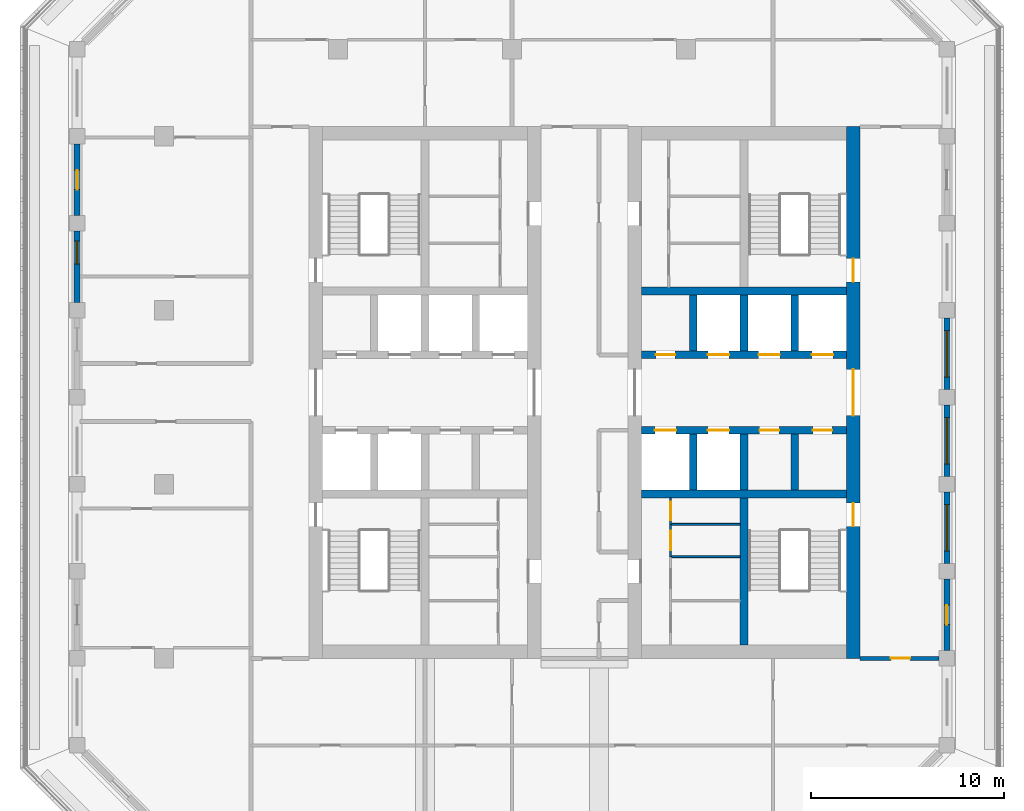
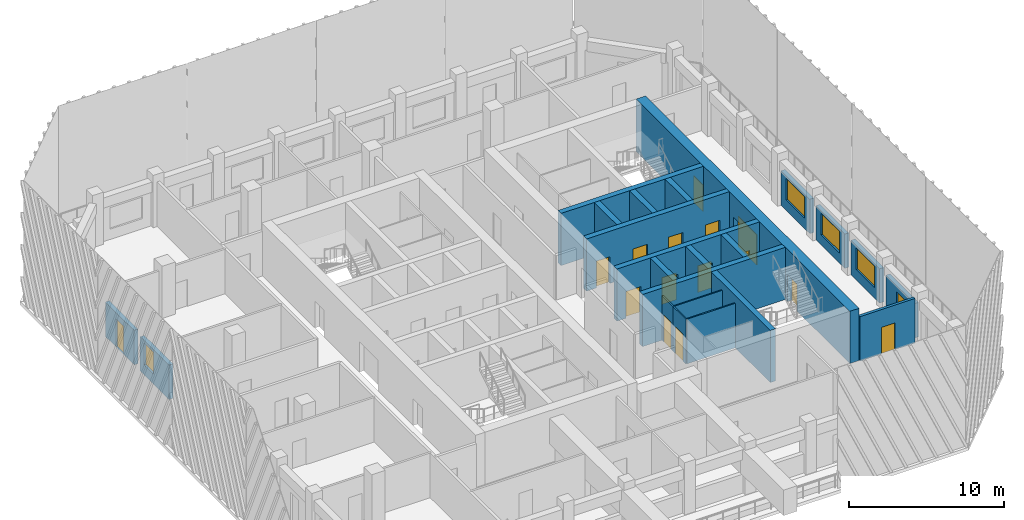
# One storey, part 5 of 16: 23 walls, 16 doors, 4 windows, 20 openings.
"""IFC4 building model written with IfcOpenShell, lengths in metres."""

from ifc_helpers import new_model, si_unit, direction, frame, frame_2d, origin, place, context, subcontext, project, spatial, rectangle, extrude, material, layer, layer_set, type_object, element, fill, save


model = new_model("IFC4")

# Units and contexts
model_context = context("Model", 3, precision=1e-05, world=origin(), true_north=direction((0.0, 1.0)))
body_context = subcontext(model_context, "Body", "Model", "MODEL_VIEW")
ifc_project = project(units=[si_unit("LENGTHUNIT", "METRE"), si_unit("AREAUNIT", "SQUARE_METRE"), si_unit("VOLUMEUNIT", "CUBIC_METRE"), si_unit("PLANEANGLEUNIT", "RADIAN"), si_unit("MASSUNIT", "GRAM", prefix="KILO")], contexts=[model_context])

# Site, building, storey
site_placement = place(None, origin())
site = spatial("IfcSite", under=ifc_project, at=site_placement, CompositionType="ELEMENT")
building_placement = place(site_placement, origin())
building = spatial("IfcBuilding", under=site, at=building_placement, Name="Corbel Stack Research Tower", CompositionType="ELEMENT")
storey_placement = place(building_placement, frame((0.0, 0.0, 290.89990234375)))
storey = spatial("IfcBuildingStorey", under=building, at=storey_placement, Name="L66", CompositionType="ELEMENT", Elevation=290.89990234375)

# Wall
ifc_material_1 = material(Name="Concrete C60/75", Category="concrete")
ifc_layer_1 = layer(ifc_material_1, 0.39990234375)
ifc_layer_set_1 = layer_set([ifc_layer_1], Name="Concrete C60/75")
wall_type_1 = type_object("IfcWallType", Name="CW-400-60", PredefinedType="SHEAR", material=ifc_layer_set_1)
wall_1_placement = place(storey_placement, frame((6.699951171875, -0.5, 0.0), z_axis=(0.0, 0.0, 1.0), x_axis=(1.0, 0.0, 0.0)))
element("IfcWall", 1, at=wall_1_placement, inside=storey, type_object=wall_type_1, Name="East core wall, south row back L66", PredefinedType="SHEAR", context=body_context, shape_type="SweptSolid", body=[
    extrude(rectangle(XDim=10.60009765625, YDim=0.39990234375, at=frame_2d((5.300048828125, 0.0))), origin(), (0.0, 0.0, 1.0), 4.10009765625),
])

# Wall, openings, doors
wall_2_placement = place(storey_placement, frame((6.699951171875, 2.800048828125, 0.0), z_axis=(0.0, 0.0, 1.0), x_axis=(1.0, 0.0, 0.0)))
wall_2 = element("IfcWall", 2, at=wall_2_placement, inside=storey, type_object=wall_type_1, Name="East core wall, lobby south L66", PredefinedType="SHEAR", context=body_context, shape_type="SweptSolid", body=[
    extrude(rectangle(XDim=10.60009765625, YDim=0.39990234375, at=frame_2d((5.300048828125, 0.0))), origin(), (0.0, 0.0, 1.0), 4.10009765625),
])
opening_1_placement = place(wall_2_placement, frame((0.6875, 0.0, 0.0)))
opening_1 = element("IfcOpeningElement", 3, at=opening_1_placement, cuts=wall_2, Name="Opening LD-FS2", PredefinedType="OPENING", context=body_context, shape_type="SweptSolid", body=[
    extrude(rectangle(XDim=1.10009765625, YDim=2.10009765625, at=frame_2d((0.550048828125, 1.050048828125))), frame((0.0, 0.2099609375, 0.0), z_axis=(0.0, -1.0, 0.0), x_axis=(1.0, 0.0, 0.0)), (0.0, 0.0, 1.0), 0.419921875),
])
opening_2_placement = place(wall_2_placement, frame((3.4375, 0.0, 0.0)))
opening_2 = element("IfcOpeningElement", 4, at=opening_2_placement, cuts=wall_2, Name="Opening LD-GL2", PredefinedType="OPENING", context=body_context, shape_type="SweptSolid", body=[
    extrude(rectangle(XDim=1.10009765625, YDim=2.10009765625, at=frame_2d((0.550048828125, 1.050048828125))), frame((0.0, 0.2099609375, 0.0), z_axis=(0.0, -1.0, 0.0), x_axis=(1.0, 0.0, 0.0)), (0.0, 0.0, 1.0), 0.419921875),
])
opening_3_placement = place(wall_2_placement, frame((6.112548828125, 0.0, 0.0)))
opening_3 = element("IfcOpeningElement", 5, at=opening_3_placement, cuts=wall_2, Name="Opening CR-E42-S3", PredefinedType="OPENING", context=body_context, shape_type="SweptSolid", body=[
    extrude(rectangle(XDim=1.0, YDim=2.10009765625, at=frame_2d((0.5, 1.050048828125))), frame((0.0, 0.2099609375, 0.0), z_axis=(0.0, -1.0, 0.0), x_axis=(1.0, 0.0, 0.0)), (0.0, 0.0, 1.0), 0.419921875),
])
opening_4_placement = place(wall_2_placement, frame((8.862548828125, 0.0, 0.0)))
opening_4 = element("IfcOpeningElement", 6, at=opening_4_placement, cuts=wall_2, Name="Opening CR-E42-S4", PredefinedType="OPENING", context=body_context, shape_type="SweptSolid", body=[
    extrude(rectangle(XDim=1.0, YDim=2.10009765625, at=frame_2d((0.5, 1.050048828125))), frame((0.0, 0.2099609375, 0.0), z_axis=(0.0, -1.0, 0.0), x_axis=(1.0, 0.0, 0.0)), (0.0, 0.0, 1.0), 0.419921875),
])
ifc_material_2 = material(Name="Stainless steel landing door", Category="steel")
door_type_1 = type_object("IfcDoorType", Name="Lift landing door 1100 x 2100", OperationType="DOUBLE_DOOR_SLIDING", PredefinedType="DOOR", material=ifc_material_2)
door_1_placement = place(opening_1_placement, origin())
door_1 = element("IfcDoor", 7, at=door_1_placement, inside=storey, type_object=door_type_1, Name="Landing door FS2", OperationType="DOUBLE_DOOR_SLIDING", OverallHeight=2.10009765625, OverallWidth=1.10009765625, PredefinedType="DOOR", context=body_context, shape_type="SweptSolid", body=[
    extrude(rectangle(XDim=1.10009765625, YDim=2.10009765625, at=frame_2d((0.550048828125, 1.050048828125))), frame((0.0, 0.02490234375, 0.0), z_axis=(0.0, -1.0, 0.0), x_axis=(1.0, 0.0, 0.0)), (0.0, 0.0, 1.0), 0.050048828125),
])
fill(opening_1, door_1)
door_2_placement = place(opening_2_placement, origin())
door_2 = element("IfcDoor", 8, at=door_2_placement, inside=storey, type_object=door_type_1, Name="Landing door GL2", OperationType="DOUBLE_DOOR_SLIDING", OverallHeight=2.10009765625, OverallWidth=1.10009765625, PredefinedType="DOOR", context=body_context, shape_type="SweptSolid", body=[
    extrude(rectangle(XDim=1.10009765625, YDim=2.10009765625, at=frame_2d((0.550048828125, 1.050048828125))), frame((0.0, 0.02490234375, 0.0), z_axis=(0.0, -1.0, 0.0), x_axis=(1.0, 0.0, 0.0)), (0.0, 0.0, 1.0), 0.050048828125),
])
fill(opening_2, door_2)
ifc_material_3 = material(Name="Painted steel door", Category="steel")
door_type_2 = type_object("IfcDoorType", Name="Service door 1000 x 2100 FD60 left hand", OperationType="SINGLE_SWING_LEFT", PredefinedType="DOOR", material=ifc_material_3)
door_3_placement = place(opening_3_placement, origin())
door_3 = element("IfcDoor", 9, at=door_3_placement, inside=storey, type_object=door_type_2, Name="Electrical room door E core", OperationType="SINGLE_SWING_LEFT", OverallHeight=2.10009765625, OverallWidth=1.0, PredefinedType="DOOR", context=body_context, shape_type="SweptSolid", body=[
    extrude(rectangle(XDim=1.0, YDim=2.10009765625, at=frame_2d((0.5, 1.050048828125))), frame((0.0, 0.02490234375, 0.0), z_axis=(0.0, -1.0, 0.0), x_axis=(1.0, 0.0, 0.0)), (0.0, 0.0, 1.0), 0.050048828125),
])
fill(opening_3, door_3)
ifc_material_4 = material(Name="Painted steel door", Category="steel")
door_type_3 = type_object("IfcDoorType", Name="Service door 1000 x 2100 FD60 right hand", OperationType="SINGLE_SWING_RIGHT", PredefinedType="DOOR", material=ifc_material_4)
door_4_placement = place(opening_4_placement, origin())
door_4 = element("IfcDoor", 10, at=door_4_placement, inside=storey, type_object=door_type_3, Name="Pantry door E core", OperationType="SINGLE_SWING_RIGHT", OverallHeight=2.10009765625, OverallWidth=1.0, PredefinedType="DOOR", context=body_context, shape_type="SweptSolid", body=[
    extrude(rectangle(XDim=1.0, YDim=2.10009765625, at=frame_2d((0.5, 1.050048828125))), frame((0.0, 0.02490234375, 0.0), z_axis=(0.0, -1.0, 0.0), x_axis=(1.0, 0.0, 0.0)), (0.0, 0.0, 1.0), 0.050048828125),
])
fill(opening_4, door_4)

wall_3_placement = place(storey_placement, frame((6.699951171875, 6.699951171875, 0.0), z_axis=(0.0, 0.0, 1.0), x_axis=(1.0, 0.0, 0.0)))
wall_3 = element("IfcWall", 11, at=wall_3_placement, inside=storey, type_object=wall_type_1, Name="East core wall, lobby north L66", PredefinedType="SHEAR", context=body_context, shape_type="SweptSolid", body=[
    extrude(rectangle(XDim=10.60009765625, YDim=0.39990234375, at=frame_2d((5.300048828125, 0.0))), origin(), (0.0, 0.0, 1.0), 4.10009765625),
])
opening_5_placement = place(wall_3_placement, frame((3.4375, 0.0, 0.0)))
opening_5 = element("IfcOpeningElement", 12, at=opening_5_placement, cuts=wall_3, Name="Opening LD-HR4", PredefinedType="OPENING", context=body_context, shape_type="SweptSolid", body=[
    extrude(rectangle(XDim=1.10009765625, YDim=2.10009765625, at=frame_2d((0.550048828125, 1.050048828125))), frame((0.0, 0.2099609375, 0.0), z_axis=(0.0, -1.0, 0.0), x_axis=(1.0, 0.0, 0.0)), (0.0, 0.0, 1.0), 0.419921875),
])
opening_6_placement = place(wall_3_placement, frame((6.0625, 0.0, 0.0)))
opening_6 = element("IfcOpeningElement", 13, at=opening_6_placement, cuts=wall_3, Name="Opening LD-HR5", PredefinedType="OPENING", context=body_context, shape_type="SweptSolid", body=[
    extrude(rectangle(XDim=1.10009765625, YDim=2.10009765625, at=frame_2d((0.550048828125, 1.050048828125))), frame((0.0, 0.2099609375, 0.0), z_axis=(0.0, -1.0, 0.0), x_axis=(1.0, 0.0, 0.0)), (0.0, 0.0, 1.0), 0.419921875),
])
opening_7_placement = place(wall_3_placement, frame((8.8125, 0.0, 0.0)))
opening_7 = element("IfcOpeningElement", 14, at=opening_7_placement, cuts=wall_3, Name="Opening LD-HR6", PredefinedType="OPENING", context=body_context, shape_type="SweptSolid", body=[
    extrude(rectangle(XDim=1.10009765625, YDim=2.10009765625, at=frame_2d((0.550048828125, 1.050048828125))), frame((0.0, 0.2099609375, 0.0), z_axis=(0.0, -1.0, 0.0), x_axis=(1.0, 0.0, 0.0)), (0.0, 0.0, 1.0), 0.419921875),
])
opening_8_placement = place(wall_3_placement, frame((0.737548828125, 0.0, 0.0)))
opening_8 = element("IfcOpeningElement", 15, at=opening_8_placement, cuts=wall_3, Name="Opening CR-E42-N1", PredefinedType="OPENING", context=body_context, shape_type="SweptSolid", body=[
    extrude(rectangle(XDim=1.0, YDim=2.10009765625, at=frame_2d((0.5, 1.050048828125))), frame((0.0, 0.2099609375, 0.0), z_axis=(0.0, -1.0, 0.0), x_axis=(1.0, 0.0, 0.0)), (0.0, 0.0, 1.0), 0.419921875),
])
door_5_placement = place(opening_5_placement, origin())
door_5 = element("IfcDoor", 16, at=door_5_placement, inside=storey, type_object=door_type_1, Name="Landing door HR4", OperationType="DOUBLE_DOOR_SLIDING", OverallHeight=2.10009765625, OverallWidth=1.10009765625, PredefinedType="DOOR", context=body_context, shape_type="SweptSolid", body=[
    extrude(rectangle(XDim=1.10009765625, YDim=2.10009765625, at=frame_2d((0.550048828125, 1.050048828125))), frame((0.0, 0.02490234375, 0.0), z_axis=(0.0, -1.0, 0.0), x_axis=(1.0, 0.0, 0.0)), (0.0, 0.0, 1.0), 0.050048828125),
])
fill(opening_5, door_5)
door_6_placement = place(opening_6_placement, origin())
door_6 = element("IfcDoor", 17, at=door_6_placement, inside=storey, type_object=door_type_1, Name="Landing door HR5", OperationType="DOUBLE_DOOR_SLIDING", OverallHeight=2.10009765625, OverallWidth=1.10009765625, PredefinedType="DOOR", context=body_context, shape_type="SweptSolid", body=[
    extrude(rectangle(XDim=1.10009765625, YDim=2.10009765625, at=frame_2d((0.550048828125, 1.050048828125))), frame((0.0, 0.02490234375, 0.0), z_axis=(0.0, -1.0, 0.0), x_axis=(1.0, 0.0, 0.0)), (0.0, 0.0, 1.0), 0.050048828125),
])
fill(opening_6, door_6)
door_7_placement = place(opening_7_placement, origin())
door_7 = element("IfcDoor", 18, at=door_7_placement, inside=storey, type_object=door_type_1, Name="Landing door HR6", OperationType="DOUBLE_DOOR_SLIDING", OverallHeight=2.10009765625, OverallWidth=1.10009765625, PredefinedType="DOOR", context=body_context, shape_type="SweptSolid", body=[
    extrude(rectangle(XDim=1.10009765625, YDim=2.10009765625, at=frame_2d((0.550048828125, 1.050048828125))), frame((0.0, 0.02490234375, 0.0), z_axis=(0.0, -1.0, 0.0), x_axis=(1.0, 0.0, 0.0)), (0.0, 0.0, 1.0), 0.050048828125),
])
fill(opening_7, door_7)
door_8_placement = place(opening_8_placement, origin())
door_8 = element("IfcDoor", 19, at=door_8_placement, inside=storey, type_object=door_type_2, Name="Staff WC door E core", OperationType="SINGLE_SWING_LEFT", OverallHeight=2.10009765625, OverallWidth=1.0, PredefinedType="DOOR", context=body_context, shape_type="SweptSolid", body=[
    extrude(rectangle(XDim=1.0, YDim=2.10009765625, at=frame_2d((0.5, 1.050048828125))), frame((0.0, 0.02490234375, 0.0), z_axis=(0.0, -1.0, 0.0), x_axis=(1.0, 0.0, 0.0)), (0.0, 0.0, 1.0), 0.050048828125),
])
fill(opening_8, door_8)

# Walls
wall_4_placement = place(storey_placement, frame((6.699951171875, 10.0, 0.0), z_axis=(0.0, 0.0, 1.0), x_axis=(1.0, 0.0, 0.0)))
element("IfcWall", 20, at=wall_4_placement, inside=storey, type_object=wall_type_1, Name="East core wall, north row back L66", PredefinedType="SHEAR", context=body_context, shape_type="SweptSolid", body=[
    extrude(rectangle(XDim=10.60009765625, YDim=0.39990234375, at=frame_2d((5.300048828125, 0.0))), origin(), (0.0, 0.0, 1.0), 4.10009765625),
])
for number, where, z_axis, x_axis, name in (
    (21, (9.375, -0.300048828125, 0.0), (0.0, 0.0, 1.0), (0.0, 1.0, 0.0), "East core wall, south shaft 1 L66"),
    (22, (9.375, 6.89990234375, 0.0), (0.0, 0.0, 1.0), (0.0, 1.0, 0.0), "East core wall, north shaft 1 L66"),
    (23, (12.0, -0.300048828125, 0.0), (0.0, 0.0, 1.0), (0.0, 1.0, 0.0), "East core wall, south shaft 2 L66"),
    (24, (12.0, 6.89990234375, 0.0), (0.0, 0.0, 1.0), (0.0, 1.0, 0.0), "East core wall, north shaft 2 L66"),
    (25, (14.625, -0.300048828125, 0.0), (0.0, 0.0, 1.0), (0.0, 1.0, 0.0), "East core wall, south shaft 3 L66"),
    (26, (14.625, 6.89990234375, 0.0), (0.0, 0.0, 1.0), (0.0, 1.0, 0.0), "East core wall, north shaft 3 L66"),
):
    element("IfcWall", number, at=place(storey_placement, frame(where, z_axis=z_axis, x_axis=x_axis)), inside=storey, type_object=wall_type_1, Name=name, PredefinedType="SHEAR", context=body_context, shape_type="SweptSolid", body=[
        extrude(rectangle(XDim=2.900146484375, YDim=0.39990234375, at=frame_2d((1.4501953125, 0.0))), origin(), (0.0, 0.0, 1.0), 4.10009765625),
    ])
wall_5_placement = place(storey_placement, frame((12.0, -8.300048828125, 0.0), z_axis=(0.0, 0.0, 1.0), x_axis=(0.0, 1.0, 0.0)))
element("IfcWall", 27, at=wall_5_placement, inside=storey, type_object=wall_type_1, Name="East core wall, south stair and WC L66", PredefinedType="SHEAR", context=body_context, shape_type="SweptSolid", body=[
    extrude(rectangle(XDim=7.60009765625, YDim=0.39990234375, at=frame_2d((3.800048828125, 0.0))), origin(), (0.0, 0.0, 1.0), 4.10009765625),
])

# Wall, openings, doors
ifc_material_5 = material(Name="Concrete C60/75", Category="concrete")
ifc_layer_2 = layer(ifc_material_5, 0.699951171875)
ifc_layer_set_2 = layer_set([ifc_layer_2], Name="Concrete C60/75")
wall_type_2 = type_object("IfcWallType", Name="CW-700-60", PredefinedType="SHEAR", material=ifc_layer_set_2)
wall_6_placement = place(storey_placement, frame((17.64990234375, -9.0, 0.0), z_axis=(0.0, 0.0, 1.0), x_axis=(0.0, 1.0, 0.0)))
wall_6 = element("IfcWall", 28, at=wall_6_placement, inside=storey, type_object=wall_type_2, Name="East core wall, east face L66", PredefinedType="SHEAR", context=body_context, shape_type="SweptSolid", body=[
    extrude(rectangle(XDim=27.5, YDim=0.699951171875, at=frame_2d((13.75, 0.0))), origin(), (0.0, 0.0, 1.0), 4.10009765625),
])
opening_9_placement = place(wall_6_placement, frame((12.550048828125, 0.0, 0.0)))
opening_9 = element("IfcOpeningElement", 29, at=opening_9_placement, cuts=wall_6, Name="Opening CD-E-E", PredefinedType="OPENING", context=body_context, shape_type="SweptSolid", body=[
    extrude(rectangle(XDim=2.39990234375, YDim=2.39990234375, at=frame_2d((1.199951171875, 1.199951171875))), frame((0.0, 0.35986328125, 0.0), z_axis=(0.0, -1.0, 0.0), x_axis=(1.0, 0.0, 0.0)), (0.0, 0.0, 1.0), 0.719970703125),
])
opening_10_placement = place(wall_6_placement, frame((6.824951171875, 0.0, 0.0)))
opening_10 = element("IfcOpeningElement", 30, at=opening_10_placement, cuts=wall_6, Name="Opening SD-ST-E1", PredefinedType="OPENING", context=body_context, shape_type="SweptSolid", body=[
    extrude(rectangle(XDim=1.199951171875, YDim=2.10009765625, at=frame_2d((0.60009765625, 1.050048828125))), frame((0.0, 0.35986328125, 0.0), z_axis=(0.0, -1.0, 0.0), x_axis=(1.0, 0.0, 0.0)), (0.0, 0.0, 1.0), 0.719970703125),
])
opening_11_placement = place(wall_6_placement, frame((19.47509765625, 0.0, 0.0)))
opening_11 = element("IfcOpeningElement", 31, at=opening_11_placement, cuts=wall_6, Name="Opening SD-ST-E2", PredefinedType="OPENING", context=body_context, shape_type="SweptSolid", body=[
    extrude(rectangle(XDim=1.199951171875, YDim=2.10009765625, at=frame_2d((0.60009765625, 1.050048828125))), frame((0.0, 0.35986328125, 0.0), z_axis=(0.0, -1.0, 0.0), x_axis=(1.0, 0.0, 0.0)), (0.0, 0.0, 1.0), 0.719970703125),
])
ifc_material_6 = material(Name="Painted steel fire door", Category="steel")
door_type_4 = type_object("IfcDoorType", Name="Lobby door pair 2400 x 2400 FD30S", OperationType="DOUBLE_DOOR_DOUBLE_SWING", PredefinedType="DOOR", material=ifc_material_6)
door_9_placement = place(opening_9_placement, origin())
door_9 = element("IfcDoor", 32, at=door_9_placement, inside=storey, type_object=door_type_4, Name="Lift lobby door E core E", OperationType="DOUBLE_DOOR_DOUBLE_SWING", OverallHeight=2.39990234375, OverallWidth=2.39990234375, PredefinedType="DOOR", context=body_context, shape_type="SweptSolid", body=[
    extrude(rectangle(XDim=2.39990234375, YDim=2.39990234375, at=frame_2d((1.199951171875, 1.199951171875))), frame((0.0, 0.02490234375, 0.0), z_axis=(0.0, -1.0, 0.0), x_axis=(1.0, 0.0, 0.0)), (0.0, 0.0, 1.0), 0.050048828125),
])
fill(opening_9, door_9)
ifc_material_7 = material(Name="Painted steel fire door", Category="steel")
door_type_5 = type_object("IfcDoorType", Name="Stair door 1200 x 2100 FD90 right hand", OperationType="SINGLE_SWING_RIGHT", PredefinedType="DOOR", material=ifc_material_7)
door_10_placement = place(opening_10_placement, frame((1.199951171875, 0.0, 0.0), z_axis=(0.0, 0.0, 1.0), x_axis=(-1.0, 0.0, 0.0)))
door_10 = element("IfcDoor", 33, at=door_10_placement, inside=storey, type_object=door_type_5, Name="Stair door ST-E1", OperationType="SINGLE_SWING_LEFT", OverallHeight=2.10009765625, OverallWidth=1.199951171875, PredefinedType="DOOR", context=body_context, shape_type="SweptSolid", body=[
    extrude(rectangle(XDim=1.199951171875, YDim=2.10009765625, at=frame_2d((0.60009765625, 1.050048828125))), frame((0.0, 0.02490234375, 0.0), z_axis=(0.0, -1.0, 0.0), x_axis=(1.0, 0.0, 0.0)), (0.0, 0.0, 1.0), 0.050048828125),
])
fill(opening_10, door_10)
door_11_placement = place(opening_11_placement, frame((1.199951171875, 0.0, 0.0), z_axis=(0.0, 0.0, 1.0), x_axis=(-1.0, 0.0, 0.0)))
door_11 = element("IfcDoor", 34, at=door_11_placement, inside=storey, type_object=door_type_5, Name="Stair door ST-E2", OperationType="SINGLE_SWING_LEFT", OverallHeight=2.10009765625, OverallWidth=1.199951171875, PredefinedType="DOOR", context=body_context, shape_type="SweptSolid", body=[
    extrude(rectangle(XDim=1.199951171875, YDim=2.10009765625, at=frame_2d((0.60009765625, 1.050048828125))), frame((0.0, 0.02490234375, 0.0), z_axis=(0.0, -1.0, 0.0), x_axis=(1.0, 0.0, 0.0)), (0.0, 0.0, 1.0), 0.050048828125),
])
fill(opening_11, door_11)

# Wall, opening, door
ifc_material_8 = material(Name="Gypsum board")
ifc_layer_3 = layer(ifc_material_8, 0.10009765625)
ifc_layer_set_3 = layer_set([ifc_layer_3], Name="Gypsum board")
wall_type_3 = type_object("IfcWallType", Name="Core partition 100", PredefinedType="PARTITIONING", material=ifc_layer_set_3)
wall_7_placement = place(storey_placement, frame((8.199951171875, -3.739990234375, 0.0), z_axis=(0.0, 0.0, 1.0), x_axis=(0.0, 1.0, 0.0)))
wall_7 = element("IfcWall", 35, at=wall_7_placement, inside=storey, type_object=wall_type_3, Name="Core partition E", PredefinedType="PARTITIONING", context=body_context, shape_type="SweptSolid", body=[
    extrude(rectangle(XDim=1.671875, YDim=0.10009765625, at=frame_2d((0.8359375, 0.0))), origin(), (0.0, 0.0, 1.0), 3.5),
])
opening_12_placement = place(wall_7_placement, frame((0.3359375, 0.0, 0.0)))
opening_12 = element("IfcOpeningElement", 36, at=opening_12_placement, cuts=wall_7, Name="Opening CR-E42-W4-1000", PredefinedType="OPENING", context=body_context, shape_type="SweptSolid", body=[
    extrude(rectangle(XDim=1.0, YDim=2.10009765625, at=frame_2d((0.5, 1.050048828125))), frame((0.0, 0.06005859375, 0.0), z_axis=(0.0, -1.0, 0.0), x_axis=(1.0, 0.0, 0.0)), (0.0, 0.0, 1.0), 0.1201171875),
])
ifc_material_9 = material(Name="Painted timber door", Category="wood")
door_type_6 = type_object("IfcDoorType", Name="WC door 1000 x 2100 left hand", OperationType="SINGLE_SWING_LEFT", PredefinedType="DOOR", material=ifc_material_9)
door_12_placement = place(opening_12_placement, origin())
door_12 = element("IfcDoor", 37, at=door_12_placement, inside=storey, type_object=door_type_6, Name="Accessible WC door E core", OperationType="SINGLE_SWING_LEFT", OverallHeight=2.10009765625, OverallWidth=1.0, PredefinedType="DOOR", context=body_context, shape_type="SweptSolid", body=[
    extrude(rectangle(XDim=1.0, YDim=2.10009765625, at=frame_2d((0.5, 1.050048828125))), frame((0.0, 0.02490234375, 0.0), z_axis=(0.0, -1.0, 0.0), x_axis=(1.0, 0.0, 0.0)), (0.0, 0.0, 1.0), 0.050048828125),
])
fill(opening_12, door_12)

wall_8_placement = place(storey_placement, frame((8.199951171875, -2.068115234375, 0.0), z_axis=(0.0, 0.0, 1.0), x_axis=(0.0, 1.0, 0.0)))
wall_8 = element("IfcWall", 38, at=wall_8_placement, inside=storey, type_object=wall_type_3, Name="Core partition E", PredefinedType="PARTITIONING", context=body_context, shape_type="SweptSolid", body=[
    extrude(rectangle(XDim=1.3681640625, YDim=0.10009765625, at=frame_2d((0.68408203125, 0.0))), origin(), (0.0, 0.0, 1.0), 3.5),
])
opening_13_placement = place(wall_8_placement, frame((0.199951171875, 0.0, 0.0)))
opening_13 = element("IfcOpeningElement", 39, at=opening_13_placement, cuts=wall_8, Name="Opening CR-E42-W5-968", PredefinedType="OPENING", context=body_context, shape_type="SweptSolid", body=[
    extrude(rectangle(XDim=0.968017578125, YDim=2.10009765625, at=frame_2d((0.48388671875, 1.050048828125))), frame((0.0, 0.06005859375, 0.0), z_axis=(0.0, -1.0, 0.0), x_axis=(1.0, 0.0, 0.0)), (0.0, 0.0, 1.0), 0.1201171875),
])
ifc_material_10 = material(Name="Painted steel door", Category="steel")
door_type_7 = type_object("IfcDoorType", Name="Service door 968 x 2100 FD30 right hand", OperationType="SINGLE_SWING_RIGHT", PredefinedType="DOOR", material=ifc_material_10)
door_13_placement = place(opening_13_placement, origin())
door_13 = element("IfcDoor", 40, at=door_13_placement, inside=storey, type_object=door_type_7, Name="Cleaner's store door E core", OperationType="SINGLE_SWING_RIGHT", OverallHeight=2.10009765625, OverallWidth=0.968017578125, PredefinedType="DOOR", context=body_context, shape_type="SweptSolid", body=[
    extrude(rectangle(XDim=0.968017578125, YDim=2.10009765625, at=frame_2d((0.48388671875, 1.050048828125))), frame((0.0, 0.02490234375, 0.0), z_axis=(0.0, -1.0, 0.0), x_axis=(1.0, 0.0, 0.0)), (0.0, 0.0, 1.0), 0.050048828125),
])
fill(opening_13, door_13)

# Walls
for number, where, z_axis, x_axis, name in (
    (41, (8.199951171875, -3.739990234375, 0.0), (0.0, 0.0, 1.0), (1.0, 0.0, 0.0), "Core partition E"),
    (42, (8.199951171875, -2.068115234375, 0.0), (0.0, 0.0, 1.0), (1.0, 0.0, 0.0), "Core partition E"),
):
    element("IfcWall", number, at=place(storey_placement, frame(where, z_axis=z_axis, x_axis=x_axis)), inside=storey, type_object=wall_type_3, Name=name, PredefinedType="PARTITIONING", context=body_context, shape_type="SweptSolid", body=[
        extrude(rectangle(XDim=3.60009765625, YDim=0.10009765625, at=frame_2d((1.800048828125, 0.0))), origin(), (0.0, 0.0, 1.0), 3.5),
    ])

# Wall, opening, door
ifc_material_11 = material(Name="Fire-rated gypsum board partition on steel studs", Category="steel")
ifc_layer_4 = layer(ifc_material_11, 0.199951171875)
ifc_layer_set_4 = layer_set([ifc_layer_4], Name="Fire-rated gypsum board partition on steel studs")
wall_type_4 = type_object("IfcWallType", Name="Fire-rated partition 200 EI 60", PredefinedType="PARTITIONING", material=ifc_layer_set_4)
wall_9_placement = place(storey_placement, frame((22.10009765625, -9.0, 0.0), z_axis=(0.0, 0.0, 1.0), x_axis=(-1.0, 0.0, 0.0)))
wall_9 = element("IfcWall", 43, at=wall_9_placement, inside=storey, type_object=wall_type_4, Name="Partition L66-021", PredefinedType="PARTITIONING", context=body_context, shape_type="SweptSolid", body=[
    extrude(rectangle(XDim=4.10009765625, YDim=0.199951171875, at=frame_2d((2.050048828125, 0.0))), origin(), (0.0, 0.0, 1.0), 3.5),
])
opening_14_placement = place(wall_9_placement, frame((1.5, 0.0, 0.0)))
opening_14 = element("IfcOpeningElement", 44, at=opening_14_placement, cuts=wall_9, Name="Opening B8V2P-006", PredefinedType="OPENING", context=body_context, shape_type="SweptSolid", body=[
    extrude(rectangle(XDim=1.0, YDim=2.10009765625, at=frame_2d((0.5, 1.050048828125))), frame((0.0, 0.10986328125, 0.0), z_axis=(0.0, -1.0, 0.0), x_axis=(1.0, 0.0, 0.0)), (0.0, 0.0, 1.0), 0.219970703125),
])
ifc_material_12 = material(Name="Painted steel fire door", Category="steel")
door_type_8 = type_object("IfcDoorType", Name="Fire door FD30S 1000 x 2100", OperationType="NOTDEFINED", PredefinedType="DOOR", material=ifc_material_12)
door_14_placement = place(opening_14_placement, origin())
door_14 = element("IfcDoor", 45, at=door_14_placement, inside=storey, type_object=door_type_8, Name="Door B8V2P-006", OperationType="SINGLE_SWING_LEFT", OverallHeight=2.10009765625, OverallWidth=1.0, PredefinedType="DOOR", context=body_context, shape_type="SweptSolid", body=[
    extrude(rectangle(XDim=1.0, YDim=2.10009765625, at=frame_2d((0.5, 1.050048828125))), frame((0.0, 0.02490234375, 0.0), z_axis=(0.0, -1.0, 0.0), x_axis=(1.0, 0.0, 0.0)), (0.0, 0.0, 1.0), 0.050048828125),
])
fill(opening_14, door_14)

ifc_material_13 = material(Name="Concrete C45/55", Category="concrete")
ifc_layer_5 = layer(ifc_material_13, 0.300048828125)
ifc_layer_set_5 = layer_set([ifc_layer_5], Name="Concrete C45/55")
wall_type_5 = type_object("IfcWallType", Name="Terracotta-faced concrete wall 300", PredefinedType="SOLIDWALL", material=ifc_layer_set_5)
wall_10_placement = place(storey_placement, frame((22.5, -4.89990234375, 0.0), z_axis=(0.0, 0.0, 1.0), x_axis=(0.0, -1.0, 0.0)))
wall_10 = element("IfcWall", 46, at=wall_10_placement, inside=storey, type_object=wall_type_5, Name="Facade wall L66 E02", PredefinedType="SOLIDWALL", context=body_context, shape_type="SweptSolid", body=[
    extrude(rectangle(XDim=3.7001953125, YDim=0.300048828125, at=frame_2d((1.85009765625, 0.0))), origin(), (0.0, 0.0, 1.0), 2.7001953125),
])
opening_15_placement = place(wall_10_placement, frame((1.35009765625, 0.0, 0.0)))
opening_15 = element("IfcOpeningElement", 47, at=opening_15_placement, cuts=wall_10, Name="Opening L66-B04", PredefinedType="OPENING", context=body_context, shape_type="SweptSolid", body=[
    extrude(rectangle(XDim=1.0, YDim=2.199951171875, at=frame_2d((0.5, 1.10009765625))), frame((0.0, 0.159912109375, 0.0), z_axis=(0.0, -1.0, 0.0), x_axis=(1.0, 0.0, 0.0)), (0.0, 0.0, 1.0), 0.320068359375),
])
ifc_material_14 = material(Name="Aluminium frame, clear double glazing", Category="aluminium")
door_type_9 = type_object("IfcDoorType", Name="Balcony door BD1 1000 x 2200", OperationType="NOTDEFINED", PredefinedType="DOOR", material=ifc_material_14)
door_15_placement = place(opening_15_placement, origin())
door_15 = element("IfcDoor", 48, at=door_15_placement, inside=storey, type_object=door_type_9, Name="Balcony door L66-B04", OperationType="SINGLE_SWING_RIGHT", OverallHeight=2.199951171875, OverallWidth=1.0, PredefinedType="DOOR", context=body_context, shape_type="SweptSolid", body=[
    extrude(rectangle(XDim=1.0, YDim=2.199951171875, at=frame_2d((0.5, 1.10009765625))), frame((0.0, 0.02490234375, 0.0), z_axis=(0.0, -1.0, 0.0), x_axis=(1.0, 0.0, 0.0)), (0.0, 0.0, 1.0), 0.050048828125),
])
fill(opening_15, door_15)

# Wall, opening, window
wall_11_placement = place(storey_placement, frame((22.5, -0.39990234375, 0.0), z_axis=(0.0, 0.0, 1.0), x_axis=(0.0, -1.0, 0.0)))
wall_11 = element("IfcWall", 49, at=wall_11_placement, inside=storey, type_object=wall_type_5, Name="Facade wall L66 E03", PredefinedType="SOLIDWALL", context=body_context, shape_type="SweptSolid", body=[
    extrude(rectangle(XDim=3.7001953125, YDim=0.300048828125, at=frame_2d((1.85009765625, 0.0))), origin(), (0.0, 0.0, 1.0), 2.7001953125),
])
opening_16_placement = place(wall_11_placement, frame((0.64990234375, 0.0, 0.800048828125)))
opening_16 = element("IfcOpeningElement", 50, at=opening_16_placement, cuts=wall_11, Name="Opening W1", PredefinedType="OPENING", context=body_context, shape_type="SweptSolid", body=[
    extrude(rectangle(XDim=2.39990234375, YDim=1.699951171875, at=frame_2d((1.199951171875, 0.85009765625))), frame((0.0, 0.159912109375, 0.0), z_axis=(0.0, -1.0, 0.0), x_axis=(1.0, 0.0, 0.0)), (0.0, 0.0, 1.0), 0.320068359375),
])
ifc_material_15 = material(Name="Aluminium frame, clear double glazing", Category="aluminium")
window_type_1 = type_object("IfcWindowType", Name="Window W1 2400 x 1700", PartitioningType="SINGLE_PANEL", PredefinedType="WINDOW", material=ifc_material_15)
window_1_placement = place(opening_16_placement, origin())
window_1 = element("IfcWindow", 51, at=window_1_placement, inside=storey, type_object=window_type_1, Name="Window W1 L66 E03", OverallHeight=1.699951171875, OverallWidth=2.39990234375, PartitioningType="SINGLE_PANEL", PredefinedType="WINDOW", context=body_context, shape_type="SweptSolid", body=[
    extrude(rectangle(XDim=2.39990234375, YDim=1.699951171875, at=frame_2d((1.199951171875, 0.85009765625))), frame((0.0, 0.030029296875, 0.0), z_axis=(0.0, -1.0, 0.0), x_axis=(1.0, 0.0, 0.0)), (0.0, 0.0, 1.0), 0.06005859375),
])
fill(opening_16, window_1)

wall_12_placement = place(storey_placement, frame((22.5, 4.10009765625, 0.0), z_axis=(0.0, 0.0, 1.0), x_axis=(0.0, -1.0, 0.0)))
wall_12 = element("IfcWall", 52, at=wall_12_placement, inside=storey, type_object=wall_type_5, Name="Facade wall L66 E04", PredefinedType="SOLIDWALL", context=body_context, shape_type="SweptSolid", body=[
    extrude(rectangle(XDim=3.7001953125, YDim=0.300048828125, at=frame_2d((1.85009765625, 0.0))), origin(), (0.0, 0.0, 1.0), 2.7001953125),
])
opening_17_placement = place(wall_12_placement, frame((0.64990234375, 0.0, 0.800048828125)))
opening_17 = element("IfcOpeningElement", 53, at=opening_17_placement, cuts=wall_12, Name="Opening W1", PredefinedType="OPENING", context=body_context, shape_type="SweptSolid", body=[
    extrude(rectangle(XDim=2.39990234375, YDim=1.699951171875, at=frame_2d((1.199951171875, 0.85009765625))), frame((0.0, 0.159912109375, 0.0), z_axis=(0.0, -1.0, 0.0), x_axis=(1.0, 0.0, 0.0)), (0.0, 0.0, 1.0), 0.320068359375),
])
window_2_placement = place(opening_17_placement, origin())
window_2 = element("IfcWindow", 54, at=window_2_placement, inside=storey, type_object=window_type_1, Name="Window W1 L66 E04", OverallHeight=1.699951171875, OverallWidth=2.39990234375, PartitioningType="SINGLE_PANEL", PredefinedType="WINDOW", context=body_context, shape_type="SweptSolid", body=[
    extrude(rectangle(XDim=2.39990234375, YDim=1.699951171875, at=frame_2d((1.199951171875, 0.85009765625))), frame((0.0, 0.030029296875, 0.0), z_axis=(0.0, -1.0, 0.0), x_axis=(1.0, 0.0, 0.0)), (0.0, 0.0, 1.0), 0.06005859375),
])
fill(opening_17, window_2)

wall_13_placement = place(storey_placement, frame((22.5, 8.60009765625, 0.0), z_axis=(0.0, 0.0, 1.0), x_axis=(0.0, -1.0, 0.0)))
wall_13 = element("IfcWall", 55, at=wall_13_placement, inside=storey, type_object=wall_type_5, Name="Facade wall L66 E05", PredefinedType="SOLIDWALL", context=body_context, shape_type="SweptSolid", body=[
    extrude(rectangle(XDim=3.7001953125, YDim=0.300048828125, at=frame_2d((1.85009765625, 0.0))), origin(), (0.0, 0.0, 1.0), 2.7001953125),
])
opening_18_placement = place(wall_13_placement, frame((0.64990234375, 0.0, 0.800048828125)))
opening_18 = element("IfcOpeningElement", 56, at=opening_18_placement, cuts=wall_13, Name="Opening W1", PredefinedType="OPENING", context=body_context, shape_type="SweptSolid", body=[
    extrude(rectangle(XDim=2.39990234375, YDim=1.699951171875, at=frame_2d((1.199951171875, 0.85009765625))), frame((0.0, 0.159912109375, 0.0), z_axis=(0.0, -1.0, 0.0), x_axis=(1.0, 0.0, 0.0)), (0.0, 0.0, 1.0), 0.320068359375),
])
window_3_placement = place(opening_18_placement, origin())
window_3 = element("IfcWindow", 57, at=window_3_placement, inside=storey, type_object=window_type_1, Name="Window W1 L66 E05", OverallHeight=1.699951171875, OverallWidth=2.39990234375, PartitioningType="SINGLE_PANEL", PredefinedType="WINDOW", context=body_context, shape_type="SweptSolid", body=[
    extrude(rectangle(XDim=2.39990234375, YDim=1.699951171875, at=frame_2d((1.199951171875, 0.85009765625))), frame((0.0, 0.030029296875, 0.0), z_axis=(0.0, -1.0, 0.0), x_axis=(1.0, 0.0, 0.0)), (0.0, 0.0, 1.0), 0.06005859375),
])
fill(opening_18, window_3)

# Wall, opening, door
wall_14_placement = place(storey_placement, frame((-22.5, 13.89990234375, 0.0), z_axis=(0.0, 0.0, 1.0), x_axis=(0.0, 1.0, 0.0)))
wall_14 = element("IfcWall", 58, at=wall_14_placement, inside=storey, type_object=wall_type_5, Name="Facade wall L66 W02", PredefinedType="SOLIDWALL", context=body_context, shape_type="SweptSolid", body=[
    extrude(rectangle(XDim=3.7001953125, YDim=0.300048828125, at=frame_2d((1.85009765625, 0.0))), origin(), (0.0, 0.0, 1.0), 2.7001953125),
])
opening_19_placement = place(wall_14_placement, frame((1.35009765625, 0.0, 0.0)))
opening_19 = element("IfcOpeningElement", 59, at=opening_19_placement, cuts=wall_14, Name="Opening L66-B10", PredefinedType="OPENING", context=body_context, shape_type="SweptSolid", body=[
    extrude(rectangle(XDim=1.0, YDim=2.199951171875, at=frame_2d((0.5, 1.10009765625))), frame((0.0, 0.159912109375, 0.0), z_axis=(0.0, -1.0, 0.0), x_axis=(1.0, 0.0, 0.0)), (0.0, 0.0, 1.0), 0.320068359375),
])
door_16_placement = place(opening_19_placement, origin())
door_16 = element("IfcDoor", 60, at=door_16_placement, inside=storey, type_object=door_type_9, Name="Balcony door L66-B10", OperationType="SINGLE_SWING_RIGHT", OverallHeight=2.199951171875, OverallWidth=1.0, PredefinedType="DOOR", context=body_context, shape_type="SweptSolid", body=[
    extrude(rectangle(XDim=1.0, YDim=2.199951171875, at=frame_2d((0.5, 1.10009765625))), frame((0.0, 0.02490234375, 0.0), z_axis=(0.0, -1.0, 0.0), x_axis=(1.0, 0.0, 0.0)), (0.0, 0.0, 1.0), 0.050048828125),
])
fill(opening_19, door_16)

# Wall, opening, window
wall_15_placement = place(storey_placement, frame((-22.5, 9.39990234375, 0.0), z_axis=(0.0, 0.0, 1.0), x_axis=(0.0, 1.0, 0.0)))
wall_15 = element("IfcWall", 61, at=wall_15_placement, inside=storey, type_object=wall_type_5, Name="Facade wall L66 W03", PredefinedType="SOLIDWALL", context=body_context, shape_type="SweptSolid", body=[
    extrude(rectangle(XDim=3.7001953125, YDim=0.300048828125, at=frame_2d((1.85009765625, 0.0))), origin(), (0.0, 0.0, 1.0), 2.7001953125),
])
opening_20_placement = place(wall_15_placement, frame((1.987548828125, 0.0, 0.800048828125)))
opening_20 = element("IfcOpeningElement", 62, at=opening_20_placement, cuts=wall_15, Name="Opening W2", PredefinedType="OPENING", context=body_context, shape_type="SweptSolid", body=[
    extrude(rectangle(XDim=1.199951171875, YDim=1.699951171875, at=frame_2d((0.60009765625, 0.85009765625))), frame((0.0, 0.159912109375, 0.0), z_axis=(0.0, -1.0, 0.0), x_axis=(1.0, 0.0, 0.0)), (0.0, 0.0, 1.0), 0.320068359375),
])
ifc_material_16 = material(Name="Aluminium frame, clear double glazing", Category="aluminium")
window_type_2 = type_object("IfcWindowType", Name="Window W2 1200 x 1700", PartitioningType="SINGLE_PANEL", PredefinedType="WINDOW", material=ifc_material_16)
window_4_placement = place(opening_20_placement, origin())
window_4 = element("IfcWindow", 63, at=window_4_placement, inside=storey, type_object=window_type_2, Name="Window W2 L66 W03", OverallHeight=1.699951171875, OverallWidth=1.199951171875, PartitioningType="SINGLE_PANEL", PredefinedType="WINDOW", context=body_context, shape_type="SweptSolid", body=[
    extrude(rectangle(XDim=1.199951171875, YDim=1.699951171875, at=frame_2d((0.60009765625, 0.85009765625))), frame((0.0, 0.030029296875, 0.0), z_axis=(0.0, -1.0, 0.0), x_axis=(1.0, 0.0, 0.0)), (0.0, 0.0, 1.0), 0.06005859375),
])
fill(opening_20, window_4)

save(model, "model.ifc")
